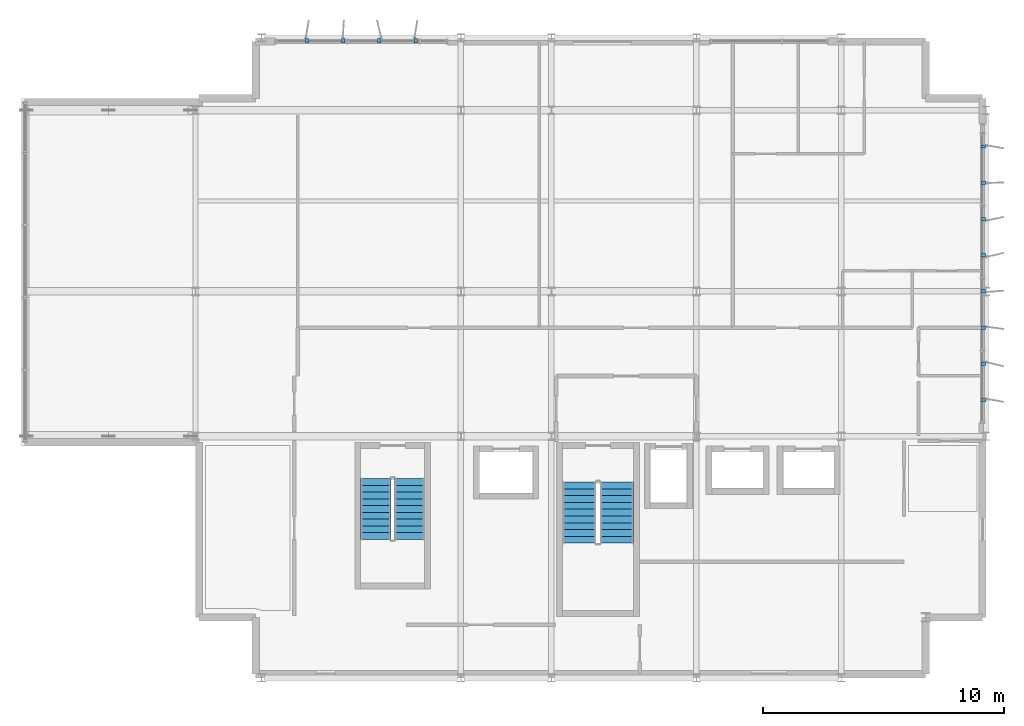
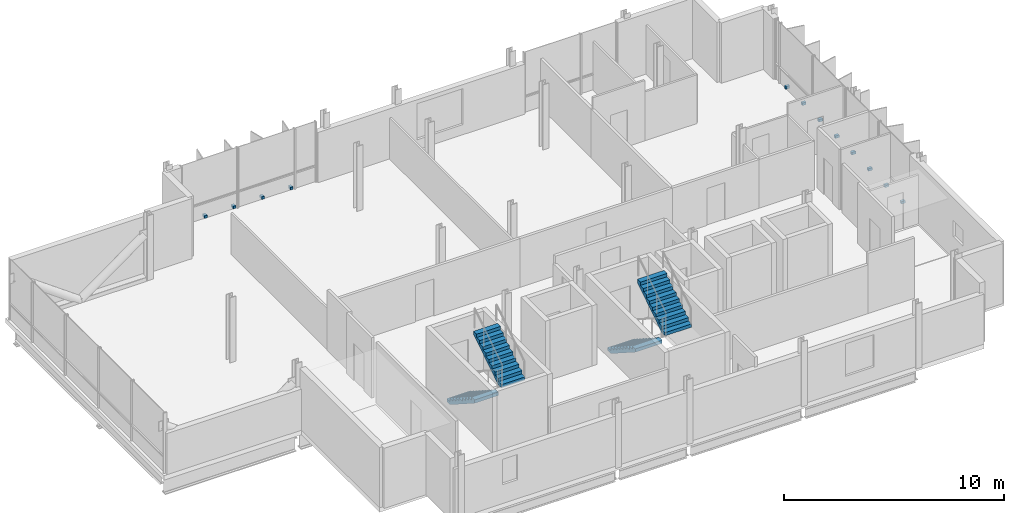
# One storey, part 16 of 18: 12 discrete accessories, 4 stair flights, 2 elements without a shape of their own.
"""IFC4 building model written with IfcOpenShell, lengths in metres."""

import ifcopenshell
import ifcopenshell.guid

model = None  # the IFC model being written
_history = None  # IfcOwnerHistory: only IFC2X3 demands one
_inside = {}  # id of a spatial element -> (the spatial element, [elements in it])
_under = {}  # id of a project, library or spatial element -> (it, [spatial elements below it])
_declared = {}  # id of a project -> (the project, [libraries it declares])
_typed = {}  # id of a type object -> (the type object, [elements of that type])
_made_of = {}  # id of a material, layer set ... -> (it, [elements and type objects made of it])


def new_model(schema):
    """Start an empty IFC model of exactly this schema.

    Asked for "IFC4X3", IfcOpenShell would pick the latest addendum, in which some entities
    have other attributes; the version numbers below select the first issue.
    IFC2X3 requires an IfcOwnerHistory on every rooted entity: one is made here for all.
    """
    global model, _history
    if schema == "IFC4X3":
        model = ifcopenshell.file(schema_version=(4, 3, 0, 0))
    else:
        model = ifcopenshell.file(schema=schema)
    _inside.clear()
    _under.clear()
    _declared.clear()
    _typed.clear()
    _made_of.clear()
    _history = None
    if model.schema == "IFC2X3":
        org = make("IfcOrganization", Name="unknown")
        user = make(
            "IfcPersonAndOrganization",
            ThePerson=make("IfcPerson", FamilyName="unknown"),
            TheOrganization=org,
        )
        app = make(
            "IfcApplication",
            ApplicationDeveloper=org,
            Version="unknown",
            ApplicationFullName="unknown",
            ApplicationIdentifier="unknown",
        )
        _history = make(
            "IfcOwnerHistory",
            OwningUser=user,
            OwningApplication=app,
            ChangeAction="ADDED",
            CreationDate=0,
        )
    return model


def make(cls, **values):
    """One entity of the class cls with the attributes given. An attribute that is None is left unset."""
    return model.create_entity(
        cls, **{name: value for name, value in values.items() if value is not None}
    )


def rooted(cls, **values):
    """An entity with a GlobalId (a new one), such as an element, a storey or a relation."""
    return make(cls, GlobalId=ifcopenshell.guid.new(), OwnerHistory=_history, **values)


def si_unit(unit_type, name, prefix=None):
    """IfcSIUnit, for example si_unit("LENGTHUNIT", "METRE", prefix="MILLI")."""
    return make("IfcSIUnit", UnitType=unit_type, Prefix=prefix, Name=name)


def assignment(units):
    """IfcUnitAssignment: the units of a project."""
    return None if units is None else make("IfcUnitAssignment", Units=units)


def point(xyz):
    """IfcCartesianPoint."""
    return None if xyz is None else make("IfcCartesianPoint", Coordinates=xyz)


def direction(xyz):
    """IfcDirection."""
    return None if xyz is None else make("IfcDirection", DirectionRatios=xyz)


def frame(location, z_axis=None, x_axis=None):
    """IfcAxis2Placement3D, a coordinate frame: its origin and axes. An axis left out is left unset."""
    return make(
        "IfcAxis2Placement3D",
        Location=point(location),
        Axis=direction(z_axis),
        RefDirection=direction(x_axis),
    )


def frame_2d(location, x_axis=None):
    """IfcAxis2Placement2D, a coordinate frame in the plane: its origin and x axis."""
    return make(
        "IfcAxis2Placement2D", Location=point(location), RefDirection=direction(x_axis)
    )


def origin():
    """The frame at (0, 0, 0) with its axes left unset."""
    return frame((0.0, 0.0, 0.0))


def origin_2d():
    """The frame at (0, 0) in the plane with its x axis left unset."""
    return frame_2d((0.0, 0.0))


def place(relative_to, where):
    """IfcLocalPlacement: puts the frame where relative to a parent placement (None: the world)."""
    return make(
        "IfcLocalPlacement", PlacementRelTo=relative_to, RelativePlacement=where
    )


def context(
    kind, dimensions, precision=None, world=None, true_north=None, identifier=None
):
    """IfcGeometricRepresentationContext, for example the 3D "Model" context."""
    return make(
        "IfcGeometricRepresentationContext",
        ContextIdentifier=identifier,
        ContextType=kind,
        CoordinateSpaceDimension=dimensions,
        Precision=precision,
        WorldCoordinateSystem=world,
        TrueNorth=true_north,
    )


def subcontext(parent, identifier, kind, view, scale=None):
    """IfcGeometricRepresentationSubContext, for example "Body" below "Model"."""
    return make(
        "IfcGeometricRepresentationSubContext",
        ContextIdentifier=identifier,
        ContextType=kind,
        ParentContext=parent,
        TargetScale=scale,
        TargetView=view,
    )


def project(units=None, contexts=None):
    """IfcProject with its units and contexts."""
    return rooted(
        "IfcProject",
        Name="project",
        RepresentationContexts=contexts,
        UnitsInContext=assignment(units),
    )


def spatial(cls, under=None, at=None, **own):
    """A site, building, storey or space (cls), placed at a placement, below another one or the project."""
    s = rooted(cls, ObjectPlacement=at, **own)
    if under is not None:
        _under.setdefault(under.id(), (under, []))[1].append(s)
    return s


def polyline(points):
    """IfcPolyline through the points."""
    return make("IfcPolyline", Points=[point(p) for p in points])


def profile(cls, at=None, kind="AREA", **sizes):
    """A parametric profile (cls). Its sizes go by their IFC names, for example OverallWidth=200.0."""
    return make(cls, ProfileType=kind, Position=at, **sizes)


def rectangle(**sizes):
    """IfcRectangleProfileDef."""
    return profile("IfcRectangleProfileDef", **sizes)


def outline(outer, holes=None, kind="AREA"):
    """IfcArbitraryClosedProfileDef: a profile drawn as a closed curve; with holes, ...WithVoids."""
    if holes is None:
        return make("IfcArbitraryClosedProfileDef", ProfileType=kind, OuterCurve=outer)
    return make(
        "IfcArbitraryProfileDefWithVoids",
        ProfileType=kind,
        OuterCurve=outer,
        InnerCurves=holes,
    )


def extrude(swept, where, along, depth):
    """IfcExtrudedAreaSolid: the profile swept, set in the frame where, extruded along a direction by depth."""
    return make(
        "IfcExtrudedAreaSolid",
        SweptArea=swept,
        Position=where,
        ExtrudedDirection=direction(along),
        Depth=depth,
    )


def shape(context_of_items, identifier, shape_type, items):
    """IfcShapeRepresentation: the items that make up one representation, for example the "Body"."""
    return make(
        "IfcShapeRepresentation",
        ContextOfItems=context_of_items,
        RepresentationIdentifier=identifier,
        RepresentationType=shape_type,
        Items=items,
    )


def material(Name=None, Category=None):
    """IfcMaterial."""
    return make("IfcMaterial", Name=Name, Category=Category)


def layer(
    of_material, thickness, ventilated=None, Name=None, Category=None, Priority=None
):
    """IfcMaterialLayer: one layer of a wall or slab, of a material (None: an air gap)."""
    return make(
        "IfcMaterialLayer",
        Material=of_material,
        LayerThickness=thickness,
        IsVentilated=ventilated,
        Name=Name,
        Category=Category,
        Priority=Priority,
    )


def layer_set(layers, Name=None):
    """IfcMaterialLayerSet."""
    return make("IfcMaterialLayerSet", MaterialLayers=layers, LayerSetName=Name)


def made_of(thing, what):
    """Note that an element or type object is made of a material, layer set ...; save() writes the relation."""
    if what is not None:
        _made_of.setdefault(what.id(), (what, []))[1].append(thing)
    return thing


def type_object(cls, material=None, **own):
    """A type object (cls), such as IfcWallType, which elements share."""
    return made_of(rooted(cls, **own), material)


def element(
    cls,
    number,
    at=None,
    inside=None,
    cuts=None,
    type_object=None,
    material=None,
    context=None,
    identifier="Body",
    shape_type=None,
    held_by="IfcProductDefinitionShape",
    body=None,
    shapes=None,
    **own,
):
    """One element of the class cls, such as IfcWall. Its Tag is "e" and its number.

    at: its placement. inside: the storey or other place that contains it. cuts: it is an
    opening in that element (IfcRelVoidsElement). A single representation is given by context,
    identifier, shape_type and body (its items); several are given by shapes. held_by: the class
    of the entity that holds the representations. save() writes the other relations.
    """
    e = rooted(cls, Tag="e%d" % number, ObjectPlacement=at, **own)
    if body is not None:
        shapes = [shape(context, identifier, shape_type, body)]
    if shapes is not None:
        e.Representation = make(held_by, Representations=shapes)
    if inside is not None:
        _inside.setdefault(inside.id(), (inside, []))[1].append(e)
    if cuts is not None:
        rooted(
            "IfcRelVoidsElement", RelatingBuildingElement=cuts, RelatedOpeningElement=e
        )
    if type_object is not None:
        _typed.setdefault(type_object.id(), (type_object, []))[1].append(e)
    return made_of(e, material)


def aggregate(whole, parts):
    """IfcRelAggregates: a whole, such as a stair, and the parts it consists of."""
    return rooted("IfcRelAggregates", RelatingObject=whole, RelatedObjects=parts)


def save(model, path):
    """Write the relations noted so far, then the file.

    IfcRelAggregates (storeys below a building ...), IfcRelContainedInSpatialStructure (elements
    in a storey), IfcRelDefinesByType, IfcRelAssociatesMaterial and IfcRelDeclares: one each for
    every whole, place, type object, material and project.
    """
    for whole, parts in _under.values():
        aggregate(whole, parts)
    for where, things in _inside.values():
        rooted(
            "IfcRelContainedInSpatialStructure",
            RelatedElements=things,
            RelatingStructure=where,
        )
    for kind, things in _typed.values():
        rooted("IfcRelDefinesByType", RelatedObjects=things, RelatingType=kind)
    for what, things in _made_of.values():
        rooted("IfcRelAssociatesMaterial", RelatedObjects=things, RelatingMaterial=what)
    for by, libraries in _declared.values():
        rooted("IfcRelDeclares", RelatingContext=by, RelatedDefinitions=libraries)
    model.write(path)


model = new_model("IFC4")

# Units and contexts
model_context = context("Model", 3, precision=1e-05, world=origin(), true_north=direction((0.0, 1.0)))
body_context = subcontext(model_context, "Body", "Model", "MODEL_VIEW")
ifc_project = project(units=[si_unit("LENGTHUNIT", "METRE"), si_unit("AREAUNIT", "SQUARE_METRE"), si_unit("VOLUMEUNIT", "CUBIC_METRE"), si_unit("PLANEANGLEUNIT", "RADIAN"), si_unit("MASSUNIT", "GRAM", prefix="KILO")], contexts=[model_context])

# Site, building, storey
site_placement = place(None, origin())
site = spatial("IfcSite", under=ifc_project, at=site_placement, CompositionType="ELEMENT")
building_placement = place(site_placement, origin())
building = spatial("IfcBuilding", under=site, at=building_placement, Name="Brevholm Reach", CompositionType="ELEMENT")
storey_placement = place(building_placement, frame((0.0, 0.0, 243.64990234375)))
storey = spatial("IfcBuildingStorey", under=building, at=storey_placement, Name="L74", CompositionType="ELEMENT", Elevation=243.64990234375)

# Stair, stair flights
ifc_material_1 = material(Name="Precast Concrete C40/50", Category="concrete")
stair_type_1 = type_object("IfcStairType", Name="STR-ESC-1250", PredefinedType="DOUBLE_RETURN_STAIR", material=ifc_material_1)
stair_1_placement = place(storey_placement, origin())
stair_1 = element("IfcStair", 1, at=stair_1_placement, inside=storey, type_object=stair_type_1, Name="L74 ST-3", PredefinedType="DOUBLE_RETURN_STAIR")
ifc_material_2 = material(Name="Precast Concrete C40/50", Category="concrete")
ifc_layer_1 = layer(ifc_material_2, 0.1650390625)
ifc_layer_set_1 = layer_set([ifc_layer_1], Name="Precast Concrete C40/50")
stair_flight_type_1 = type_object("IfcStairFlightType", Name="STF-PRC-165", PredefinedType="STRAIGHT", material=ifc_layer_set_1)
stair_flight_1_placement = place(storey_placement, frame((34.72509765625, 8.25, 0.0), z_axis=(0.0, 0.0, 1.0), x_axis=(0.0, -1.0, 0.0)))
stair_flight_1 = element("IfcStairFlight", 2, at=stair_flight_1_placement, type_object=stair_flight_type_1, Name="ST-3 flight 1", NumberOfRisers=10, NumberOfTreads=9, PredefinedType="STRAIGHT", RiserHeight=0.18, TreadLength=0.28, context=body_context, shape_type="SweptSolid", body=[
    extrude(outline(polyline([(0.0, 0.0), (0.0, 0.179931640625), (0.280029296875, 0.179931640625), (0.280029296875, 0.360107421875), (0.56005859375, 0.360107421875), (0.56005859375, 0.5400390625), (0.840087890625, 0.5400390625), (0.840087890625, 0.719970703125), (1.1201171875, 0.719970703125), (1.1201171875, 0.89990234375), (1.39990234375, 0.89990234375), (1.39990234375, 1.080078125), (1.679931640625, 1.080078125), (1.679931640625, 1.260009765625), (1.9599609375, 1.260009765625), (1.9599609375, 1.43994140625), (2.239990234375, 1.43994140625), (2.239990234375, 1.6201171875), (2.52001953125, 1.6201171875), (2.52001953125, 1.800048828125), (2.52001953125, 1.44189453125), (0.277099609375, 0.0), (0.0, 0.0)])), frame((0.0, 0.625, 0.0), z_axis=(0.0, -1.0, 0.0), x_axis=(1.0, 0.0, 0.0)), (0.0, 0.0, 1.0), 1.25),
])
stair_flight_2_placement = place(storey_placement, frame((36.125, 5.72998046875, 1.800048828125), z_axis=(0.0, 0.0, 1.0), x_axis=(0.0, 1.0, 0.0)))
stair_flight_2 = element("IfcStairFlight", 3, at=stair_flight_2_placement, type_object=stair_flight_type_1, Name="ST-3 flight 2", NumberOfRisers=10, NumberOfTreads=9, PredefinedType="STRAIGHT", RiserHeight=0.18, TreadLength=0.28, context=body_context, shape_type="SweptSolid", body=[
    extrude(outline(polyline([(0.0, 0.0), (0.0, 0.179931640625), (0.280029296875, 0.179931640625), (0.280029296875, 0.360107421875), (0.56005859375, 0.360107421875), (0.56005859375, 0.5400390625), (0.840087890625, 0.5400390625), (0.840087890625, 0.719970703125), (1.1201171875, 0.719970703125), (1.1201171875, 0.89990234375), (1.39990234375, 0.89990234375), (1.39990234375, 1.080078125), (1.679931640625, 1.080078125), (1.679931640625, 1.260009765625), (1.9599609375, 1.260009765625), (1.9599609375, 1.43994140625), (2.239990234375, 1.43994140625), (2.239990234375, 1.6201171875), (2.52001953125, 1.6201171875), (2.52001953125, 1.800048828125), (2.52001953125, 1.44189453125), (0.277099609375, 0.0), (0.0, 0.0)])), frame((0.0, 0.625, 0.0), z_axis=(0.0, -1.0, 0.0), x_axis=(1.0, 0.0, 0.0)), (0.0, 0.0, 1.0), 1.25),
])
aggregate(stair_1, [stair_flight_1, stair_flight_2])

ifc_material_3 = material(Name="Precast Concrete C40/50", Category="concrete")
stair_type_2 = type_object("IfcStairType", Name="STR-ESC-1400", PredefinedType="DOUBLE_RETURN_STAIR", material=ifc_material_3)
stair_2_placement = place(storey_placement, origin())
stair_2 = element("IfcStair", 4, at=stair_2_placement, inside=storey, type_object=stair_type_2, Name="L74 ST-2", PredefinedType="DOUBLE_RETURN_STAIR")
ifc_material_4 = material(Name="Precast Concrete C40/50", Category="concrete")
ifc_layer_2 = layer(ifc_material_4, 0.18505859375)
ifc_layer_set_2 = layer_set([ifc_layer_2], Name="Precast Concrete C40/50")
stair_flight_type_2 = type_object("IfcStairFlightType", Name="STF-PRC-185", PredefinedType="STRAIGHT", material=ifc_layer_set_2)
stair_flight_3_placement = place(storey_placement, frame((43.14990234375, 8.10009765625, 0.0), z_axis=(0.0, 0.0, 1.0), x_axis=(0.0, -1.0, 0.0)))
stair_flight_3 = element("IfcStairFlight", 5, at=stair_flight_3_placement, type_object=stair_flight_type_2, Name="ST-2 flight 1", NumberOfRisers=10, NumberOfTreads=9, PredefinedType="STRAIGHT", RiserHeight=0.18, TreadLength=0.28, context=body_context, shape_type="SweptSolid", body=[
    extrude(outline(polyline([(0.0, 0.0), (0.0, 0.179931640625), (0.280029296875, 0.179931640625), (0.280029296875, 0.360107421875), (0.56005859375, 0.360107421875), (0.56005859375, 0.5400390625), (0.840087890625, 0.5400390625), (0.840087890625, 0.719970703125), (1.1201171875, 0.719970703125), (1.1201171875, 0.89990234375), (1.39990234375, 0.89990234375), (1.39990234375, 1.080078125), (1.679931640625, 1.080078125), (1.679931640625, 1.260009765625), (1.9599609375, 1.260009765625), (1.9599609375, 1.43994140625), (2.239990234375, 1.43994140625), (2.239990234375, 1.6201171875), (2.52001953125, 1.6201171875), (2.52001953125, 1.800048828125), (2.52001953125, 1.44189453125), (0.277099609375, 0.0), (0.0, 0.0)])), frame((0.0, 0.699951171875, 0.0), z_axis=(0.0, -1.0, 0.0), x_axis=(1.0, 0.0, 0.0)), (0.0, 0.0, 1.0), 1.39990234375),
])
stair_flight_4_placement = place(storey_placement, frame((44.699951171875, 5.580078125, 1.800048828125), z_axis=(0.0, 0.0, 1.0), x_axis=(0.0, 1.0, 0.0)))
stair_flight_4 = element("IfcStairFlight", 6, at=stair_flight_4_placement, type_object=stair_flight_type_2, Name="ST-2 flight 2", NumberOfRisers=10, NumberOfTreads=9, PredefinedType="STRAIGHT", RiserHeight=0.18, TreadLength=0.28, context=body_context, shape_type="SweptSolid", body=[
    extrude(outline(polyline([(0.0, 0.0), (0.0, 0.179931640625), (0.280029296875, 0.179931640625), (0.280029296875, 0.360107421875), (0.56005859375, 0.360107421875), (0.56005859375, 0.5400390625), (0.840087890625, 0.5400390625), (0.840087890625, 0.719970703125), (1.1201171875, 0.719970703125), (1.1201171875, 0.89990234375), (1.39990234375, 0.89990234375), (1.39990234375, 1.080078125), (1.679931640625, 1.080078125), (1.679931640625, 1.260009765625), (1.9599609375, 1.260009765625), (1.9599609375, 1.43994140625), (2.239990234375, 1.43994140625), (2.239990234375, 1.6201171875), (2.52001953125, 1.6201171875), (2.52001953125, 1.800048828125), (2.52001953125, 1.44189453125), (0.277099609375, 0.0), (0.0, 0.0)])), frame((0.0, 0.699951171875, 0.0), z_axis=(0.0, -1.0, 0.0), x_axis=(1.0, 0.0, 0.0)), (0.0, 0.0, 1.0), 1.39990234375),
])
aggregate(stair_2, [stair_flight_3, stair_flight_4])

# Discrete accessories
ifc_material_5 = material(Name="Duplex Stainless Steel EN 1.4462", Category="steel")
discrete_accessory_type = type_object("IfcDiscreteAccessoryType", Name="ACC-BRK-01", PredefinedType="BRACKET", material=ifc_material_5)
for number, where, z_axis, x_axis, name in (
    (7, (31.875, 26.3798828125, 0.0302734375), (0.0, 0.0, 1.0), (0.0, 1.0, 0.0), "L74 Solar Screen Support Bracket 1"),
    (8, (33.375, 26.3798828125, 0.0302734375), (0.0, 0.0, 1.0), (0.0, 1.0, 0.0), "L74 Solar Screen Support Bracket 2"),
    (9, (34.875, 26.3798828125, 0.0302734375), (0.0, 0.0, 1.0), (0.0, 1.0, 0.0), "L74 Solar Screen Support Bracket 3"),
    (10, (36.375, 26.3798828125, 0.0302734375), (0.0, 0.0, 1.0), (0.0, 1.0, 0.0), "L74 Solar Screen Support Bracket 4"),
    (11, (59.8798828125, 11.5, 0.0302734375), (0.0, 0.0, 1.0), (1.0, 0.0, 0.0), "L74 Solar Screen Support Bracket 1"),
    (12, (59.8798828125, 13.0, 0.0302734375), (0.0, 0.0, 1.0), (1.0, 0.0, 0.0), "L74 Solar Screen Support Bracket 2"),
    (13, (59.8798828125, 14.5, 0.0302734375), (0.0, 0.0, 1.0), (1.0, 0.0, 0.0), "L74 Solar Screen Support Bracket 3"),
    (14, (59.8798828125, 16.0, 0.0302734375), (0.0, 0.0, 1.0), (1.0, 0.0, 0.0), "L74 Solar Screen Support Bracket 4"),
    (15, (59.8798828125, 17.5, 0.0302734375), (0.0, 0.0, 1.0), (1.0, 0.0, 0.0), "L74 Solar Screen Support Bracket 5"),
    (16, (59.8798828125, 19.0, 0.0302734375), (0.0, 0.0, 1.0), (1.0, 0.0, 0.0), "L74 Solar Screen Support Bracket 6"),
    (17, (59.8798828125, 20.5, 0.0302734375), (0.0, 0.0, 1.0), (1.0, 0.0, 0.0), "L74 Solar Screen Support Bracket 7"),
    (18, (59.8798828125, 22.0, 0.0302734375), (0.0, 0.0, 1.0), (1.0, 0.0, 0.0), "L74 Solar Screen Support Bracket 8"),
):
    element("IfcDiscreteAccessory", number, at=place(storey_placement, frame(where, z_axis=z_axis, x_axis=x_axis)), inside=storey, type_object=discrete_accessory_type, Name=name, PredefinedType="BRACKET", context=body_context, shape_type="SweptSolid", body=[
        extrude(rectangle(XDim=0.199951171875, YDim=0.139892578125, at=origin_2d()), origin(), (0.0, 0.0, 1.0), 0.139892578125),
    ])

save(model, "model.ifc")
